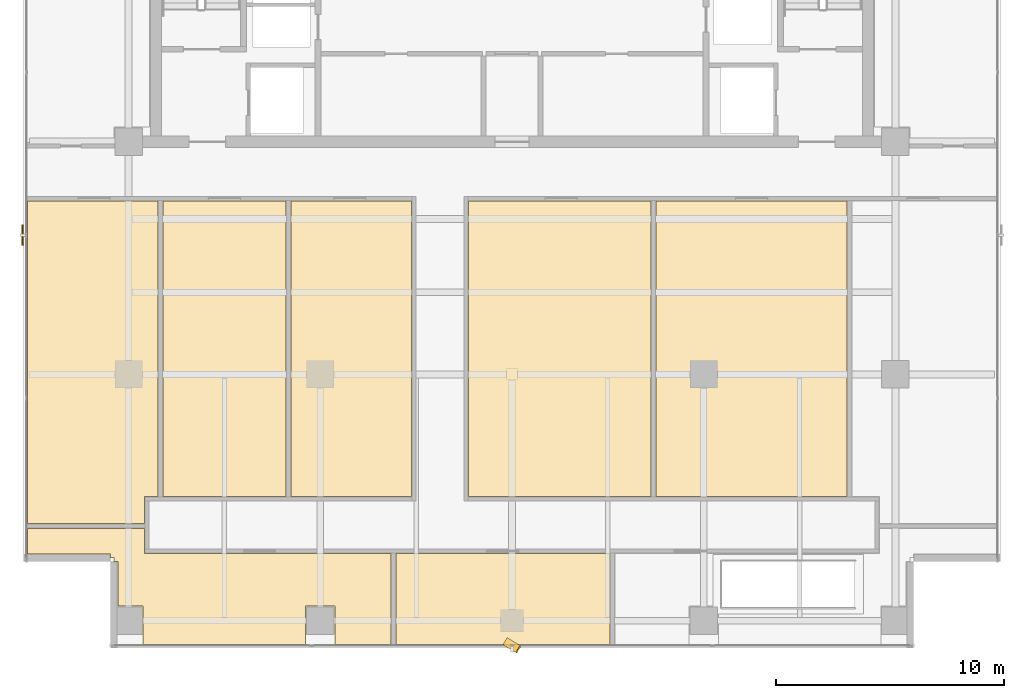
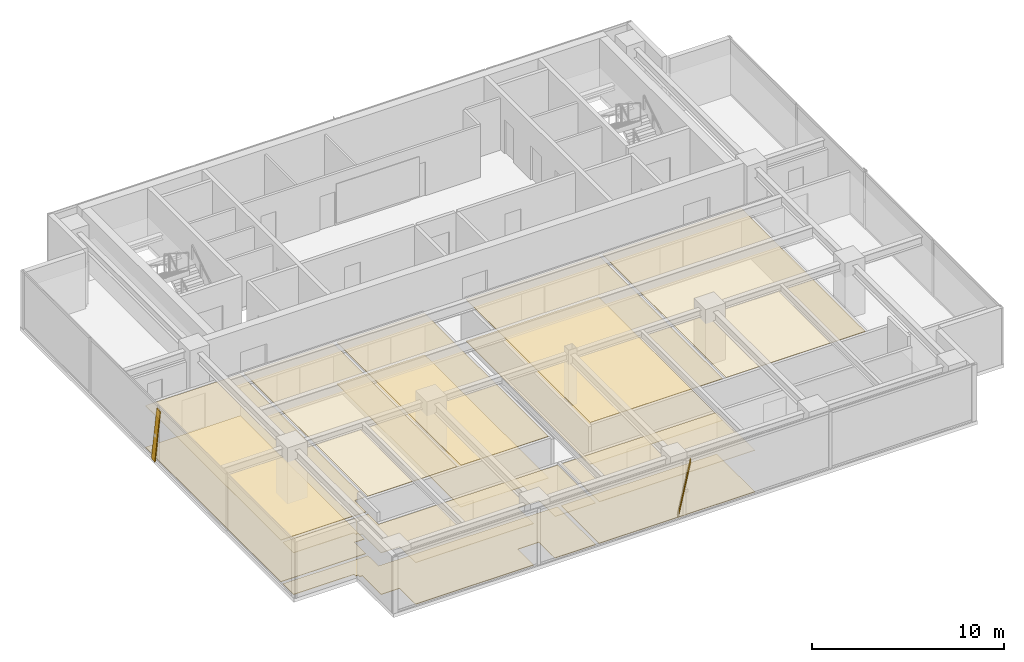
# One storey, part 18 of 21: 12 coverings, 2 shading devices.
"""IFC4 building model written with IfcOpenShell, lengths in metres."""

from ifc_helpers import new_model, si_unit, direction, frame, origin, origin_2d, place, context, subcontext, project, spatial, polyline, rectangle, outline, extrude, source, transform, mapped, material, layer, layer_set, material_profile, profile_set, type_object, element, save


model = new_model("IFC4")

# Units and contexts
model_context = context("Model", 3, precision=1e-05, world=origin(), true_north=direction((0.0, 1.0)))
body_context = subcontext(model_context, "Body", "Model", "MODEL_VIEW")
ifc_project = project(units=[si_unit("LENGTHUNIT", "METRE"), si_unit("AREAUNIT", "SQUARE_METRE"), si_unit("VOLUMEUNIT", "CUBIC_METRE"), si_unit("PLANEANGLEUNIT", "RADIAN"), si_unit("MASSUNIT", "GRAM", prefix="KILO")], contexts=[model_context])

# Site, building, storey
site_placement = place(None, origin())
site = spatial("IfcSite", under=ifc_project, at=site_placement, CompositionType="ELEMENT")
building_placement = place(site_placement, origin())
building = spatial("IfcBuilding", under=site, at=building_placement, Name="Sumidabori Civic Tower", CompositionType="ELEMENT")
storey_placement = place(building_placement, frame((0.0, 0.0, 290.0)))
storey = spatial("IfcBuildingStorey", under=building, at=storey_placement, Name="L76", CompositionType="ELEMENT", Elevation=290.0)

# Coverings
ifc_material_1 = material(Name="Acoustic Mineral Gypsum Ceiling Tile")
ifc_layer_1 = layer(ifc_material_1, 0.034912109375, Name="Acoustic Mineral Gypsum Ceiling Tile")
ifc_layer_set_1 = layer_set([ifc_layer_1], Name="Acoustic Mineral Gypsum Ceiling Tile")
covering_type_1 = type_object("IfcCoveringType", Name="CV-CEIL-AC1", PredefinedType="CEILING", material=ifc_layer_set_1)
covering_1_placement = place(storey_placement, frame((0.0, 0.0, 2.64990234375)))
element("IfcCovering", 1, at=covering_1_placement, inside=storey, type_object=covering_type_1, Name="Room Acoustic Ceiling L76-03", PredefinedType="CEILING", context=body_context, shape_type="SweptSolid", body=[
    extrude(outline(polyline([(-9.68994140625, 7.60009765625), (-4.39990234375, 7.60009765625), (-4.39990234375, -5.35009765625), (-9.68994140625, -5.35009765625), (-9.68994140625, 7.60009765625)])), origin(), (0.0, 0.0, 1.0), 0.03515625),
])
covering_2_placement = place(storey_placement, frame((0.0, 0.0, 2.64990234375)))
element("IfcCovering", 2, at=covering_2_placement, inside=storey, type_object=covering_type_1, Name="Room Acoustic Ceiling L76-04", PredefinedType="CEILING", context=body_context, shape_type="SweptSolid", body=[
    extrude(outline(polyline([(-15.2900390625, 7.60009765625), (-9.909912109375, 7.60009765625), (-9.909912109375, -5.35009765625), (-15.2900390625, -5.35009765625), (-15.2900390625, 7.60009765625)])), origin(), (0.0, 0.0, 1.0), 0.03515625),
])
covering_3_placement = place(storey_placement, frame((0.0, 0.0, 2.64990234375)))
element("IfcCovering", 3, at=covering_3_placement, inside=storey, type_object=covering_type_1, Name="Room Acoustic Ceiling L76-05", PredefinedType="CEILING", context=body_context, shape_type="SweptSolid", body=[
    extrude(outline(polyline([(-1.89990234375, -5.35009765625), (-1.89990234375, 7.60009765625), (6.090087890625, 7.60009765625), (6.090087890625, -5.35009765625), (-1.89990234375, -5.35009765625)])), origin(), (0.0, 0.0, 1.0), 0.03515625),
])
covering_4_placement = place(storey_placement, frame((0.0, 0.0, 2.64990234375)))
element("IfcCovering", 4, at=covering_4_placement, inside=storey, type_object=covering_type_1, Name="Room Acoustic Ceiling L76-06", PredefinedType="CEILING", context=body_context, shape_type="SweptSolid", body=[
    extrude(outline(polyline([(6.31005859375, -5.35009765625), (6.31005859375, 7.60009765625), (14.68994140625, 7.60009765625), (14.68994140625, -5.35009765625), (6.31005859375, -5.35009765625)])), origin(), (0.0, 0.0, 1.0), 0.03515625),
])
covering_5_placement = place(storey_placement, frame((0.0, 0.0, 2.64990234375)))
element("IfcCovering", 5, at=covering_5_placement, inside=storey, type_object=covering_type_1, Name="Room Acoustic Ceiling L76-07", PredefinedType="CEILING", context=body_context, shape_type="SweptSolid", body=[
    extrude(outline(polyline([(-21.22998046875, -6.5400390625), (-21.22998046875, 7.60009765625), (-15.510009765625, 7.60009765625), (-15.510009765625, -5.35009765625), (-16.10009765625, -5.35009765625), (-16.10009765625, -6.5400390625), (-21.22998046875, -6.5400390625)])), origin(), (0.0, 0.0, 1.0), 0.03515625),
])
covering_6_placement = place(storey_placement, frame((0.0, 0.0, 2.64990234375)))
element("IfcCovering", 6, at=covering_6_placement, inside=storey, type_object=covering_type_1, Name="Room Acoustic Ceiling L76-09", PredefinedType="CEILING", context=body_context, shape_type="SweptSolid", body=[
    extrude(outline(polyline([(-21.22998046875, -7.8720703125), (-21.22998046875, -6.760009765625), (-16.10009765625, -6.760009765625), (-16.10009765625, -7.85009765625), (-5.31005859375, -7.85009765625), (-5.31005859375, -11.830078125), (-7.760009765625, -11.830078125), (-7.760009765625, -10.159912109375), (-9.0400390625, -10.159912109375), (-9.0400390625, -11.830078125), (-16.159912109375, -11.830078125), (-16.159912109375, -10.159912109375), (-17.27197265625, -10.159912109375), (-17.27197265625, -8.19189453125), (-17.429931640625, -8.19189453125), (-17.429931640625, -8.030029296875), (-17.592041015625, -8.030029296875), (-17.592041015625, -7.8720703125), (-21.22998046875, -7.8720703125)])), origin(), (0.0, 0.0, 1.0), 0.03515625),
])
covering_7_placement = place(storey_placement, frame((0.0, 0.0, 2.64990234375)))
element("IfcCovering", 7, at=covering_7_placement, inside=storey, type_object=covering_type_1, Name="Room Acoustic Ceiling L76-11", PredefinedType="CEILING", context=body_context, shape_type="SweptSolid", body=[
    extrude(outline(polyline([(4.2900390625, -7.85009765625), (4.2900390625, -11.830078125), (-5.090087890625, -11.830078125), (-5.090087890625, -7.85009765625), (4.2900390625, -7.85009765625)])), origin(), (0.0, 0.0, 1.0), 0.03515625),
])
ifc_material_2 = material(Name="Honed Terrazzo Tile Flooring")
ifc_layer_2 = layer(ifc_material_2, 0.030029296875, Name="Honed Terrazzo Tile Flooring")
ifc_layer_set_2 = layer_set([ifc_layer_2], Name="Honed Terrazzo Tile Flooring")
covering_type_2 = type_object("IfcCoveringType", Name="CV-FLR-TER", PredefinedType="FLOORING", material=ifc_layer_set_2)
covering_8_placement = place(storey_placement, origin())
element("IfcCovering", 8, at=covering_8_placement, inside=storey, type_object=covering_type_2, Name="Room Terrazzo Floor L76-03", PredefinedType="FLOORING", context=body_context, shape_type="SweptSolid", body=[
    extrude(outline(polyline([(-9.68994140625, 7.60009765625), (-4.39990234375, 7.60009765625), (-4.39990234375, -5.35009765625), (-9.68994140625, -5.35009765625), (-9.68994140625, 7.60009765625)])), origin(), (0.0, 0.0, 1.0), 0.030029296875),
])
covering_9_placement = place(storey_placement, origin())
element("IfcCovering", 9, at=covering_9_placement, inside=storey, type_object=covering_type_2, Name="Room Terrazzo Floor L76-05", PredefinedType="FLOORING", context=body_context, shape_type="SweptSolid", body=[
    extrude(outline(polyline([(-1.89990234375, -5.35009765625), (-1.89990234375, 7.60009765625), (6.090087890625, 7.60009765625), (6.090087890625, -5.35009765625), (-1.89990234375, -5.35009765625)])), origin(), (0.0, 0.0, 1.0), 0.030029296875),
])
covering_10_placement = place(storey_placement, origin())
element("IfcCovering", 10, at=covering_10_placement, inside=storey, type_object=covering_type_2, Name="Room Terrazzo Floor L76-07", PredefinedType="FLOORING", context=body_context, shape_type="SweptSolid", body=[
    extrude(outline(polyline([(-21.22998046875, -6.5400390625), (-21.22998046875, 7.60009765625), (-15.510009765625, 7.60009765625), (-15.510009765625, -5.35009765625), (-16.10009765625, -5.35009765625), (-16.10009765625, -6.5400390625), (-21.22998046875, -6.5400390625)])), origin(), (0.0, 0.0, 1.0), 0.030029296875),
])
covering_11_placement = place(storey_placement, origin())
element("IfcCovering", 11, at=covering_11_placement, inside=storey, type_object=covering_type_2, Name="Room Terrazzo Floor L76-09", PredefinedType="FLOORING", context=body_context, shape_type="SweptSolid", body=[
    extrude(outline(polyline([(-21.22998046875, -7.8720703125), (-21.22998046875, -6.760009765625), (-16.10009765625, -6.760009765625), (-16.10009765625, -7.85009765625), (-5.31005859375, -7.85009765625), (-5.31005859375, -11.830078125), (-7.760009765625, -11.830078125), (-7.760009765625, -10.159912109375), (-9.0400390625, -10.159912109375), (-9.0400390625, -11.830078125), (-16.159912109375, -11.830078125), (-16.159912109375, -10.159912109375), (-17.27197265625, -10.159912109375), (-17.27197265625, -8.19189453125), (-17.429931640625, -8.19189453125), (-17.429931640625, -8.030029296875), (-17.592041015625, -8.030029296875), (-17.592041015625, -7.8720703125), (-21.22998046875, -7.8720703125)])), origin(), (0.0, 0.0, 1.0), 0.030029296875),
])
covering_12_placement = place(storey_placement, origin())
element("IfcCovering", 12, at=covering_12_placement, inside=storey, type_object=covering_type_2, Name="Room Terrazzo Floor L76-11", PredefinedType="FLOORING", context=body_context, shape_type="SweptSolid", body=[
    extrude(outline(polyline([(4.2900390625, -7.85009765625), (4.2900390625, -11.830078125), (-5.090087890625, -11.830078125), (-5.090087890625, -7.85009765625), (4.2900390625, -7.85009765625)])), origin(), (0.0, 0.0, 1.0), 0.030029296875),
])

# Shading devices
ifc_material_3 = material(Name="Anodised Bronze Aluminium AW-6063-T6", Category="aluminium")
ifc_material_profile = material_profile(ifc_material_3, rectangle(XDim=0.054931640625, YDim=0.360107421875, at=origin_2d()), Name="BRONZE FIN 360x55")
ifc_profile_set = profile_set([ifc_material_profile], Name="Anodised Bronze Aluminium AW-6063-T6")
shading_device_type = type_object("IfcShadingDeviceType", Name="SH-FIN-360", PredefinedType="USERDEFINED", material=ifc_profile_set)
shared_shape_1 = source(origin(), body_context, "Body", "SweptSolid", [
    extrude(rectangle(XDim=0.054931640625, YDim=0.360107421875, at=origin_2d()), origin(), (0.0, 0.0, 1.0), 3.60009765625),
])
shading_device_1_placement = place(storey_placement, frame((-0.280029296875, -11.7099609375, 0.02001953125), z_axis=(0.155564617901, -0.094464478089, 0.983298587427), x_axis=(0.840476525983, -0.510367829422, -0.181999692206)))
element("IfcShadingDevice", 13, at=shading_device_1_placement, inside=storey, type_object=shading_device_type, Name="Bronze Anodised Diagonal Fin L76-02", ObjectType="FIN", PredefinedType="USERDEFINED", context=body_context, shape_type="MappedRepresentation", body=[
    mapped(shared_shape_1, transform((0.0, 0.0, 0.0), x_axis=(1.0, 0.0, 0.0), y_axis=(0.0, 1.0, 0.0), z_axis=(0.0, 0.0, 1.0), scale=1.0)),
])
shared_shape_2 = source(origin(), body_context, "Body", "SweptSolid", [
    extrude(rectangle(XDim=0.054931640625, YDim=0.360107421875, at=origin_2d()), origin(), (0.0, 0.0, 1.0), 3.583984375),
])
shading_device_2_placement = place(storey_placement, frame((-21.449951171875, 6.3798828125, 0.02001953125), z_axis=(0.0, -0.156196935367, 0.987725932322), x_axis=(-1.0, 0.0, 0.0)))
element("IfcShadingDevice", 14, at=shading_device_2_placement, inside=storey, type_object=shading_device_type, Name="Bronze Anodised Diagonal Fin L76-02", ObjectType="FIN", PredefinedType="USERDEFINED", context=body_context, shape_type="MappedRepresentation", body=[
    mapped(shared_shape_2, transform((0.0, 0.0, 0.0), x_axis=(1.0, 0.0, 0.0), y_axis=(0.0, 1.0, 0.0), z_axis=(0.0, 0.0, 1.0), scale=1.0)),
])

save(model, "model.ifc")
